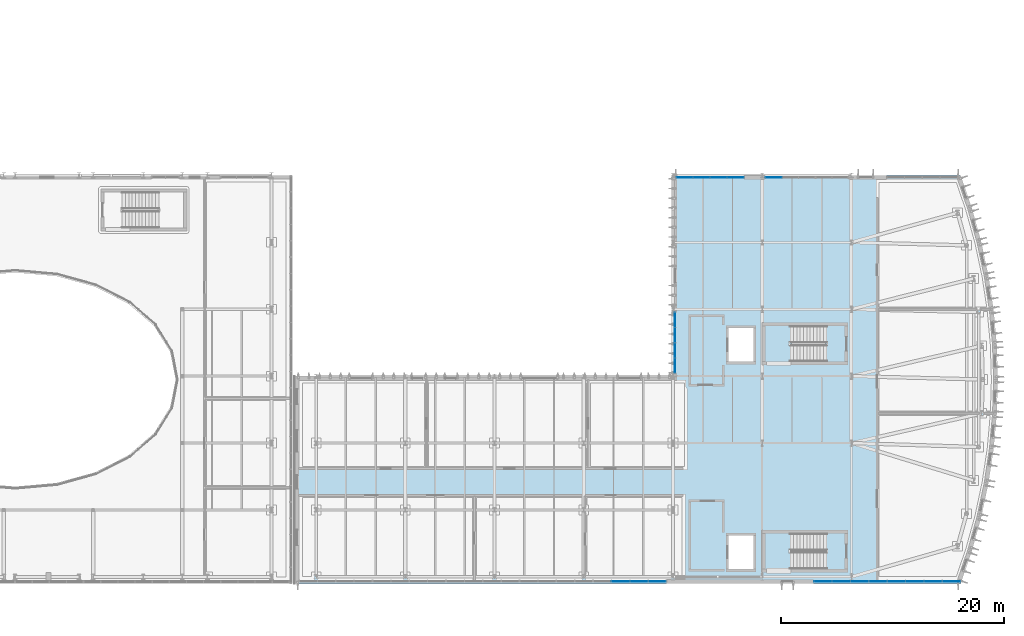
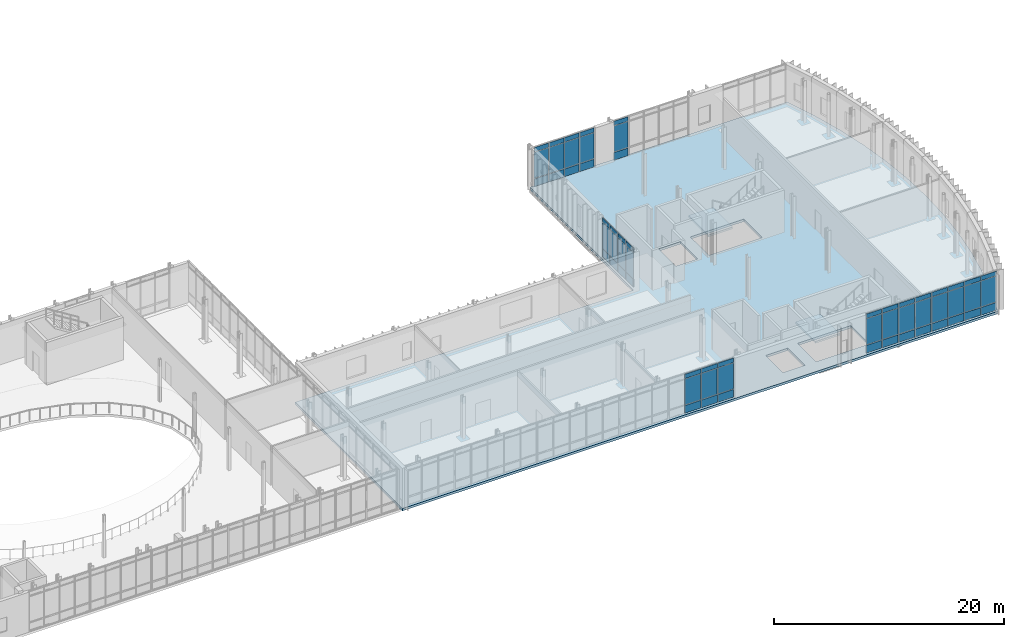
# One storey, part 60 of 100: 60 plates, 3 slabs, 8 elements without a shape of their own.
"""IFC4 building model written with IfcOpenShell, lengths in metres."""

from ifc_helpers import new_model, si_unit, direction, frame, origin, origin_2d, place, context, subcontext, project, spatial, polyline, rectangle, outline, extrude, material, layer, layer_set, type_object, element, aggregate, save


model = new_model("IFC4")

# Units and contexts
model_context = context("Model", 3, precision=1e-05, world=origin(), true_north=direction((0.0, 1.0)))
body_context = subcontext(model_context, "Body", "Model", "MODEL_VIEW")
ifc_project = project(units=[si_unit("LENGTHUNIT", "METRE"), si_unit("AREAUNIT", "SQUARE_METRE"), si_unit("VOLUMEUNIT", "CUBIC_METRE"), si_unit("PLANEANGLEUNIT", "RADIAN"), si_unit("MASSUNIT", "GRAM", prefix="KILO")], contexts=[model_context])

# Site, building, storey
site_placement = place(None, origin())
site = spatial("IfcSite", under=ifc_project, at=site_placement, CompositionType="ELEMENT")
building_placement = place(site_placement, origin())
building = spatial("IfcBuilding", under=site, at=building_placement, Name="Cymarion Research Institute", CompositionType="ELEMENT")
storey_placement = place(building_placement, frame((0.0, 0.0, 9.300048828125)))
storey = spatial("IfcBuildingStorey", under=building, at=storey_placement, Name="L02", CompositionType="ELEMENT", Elevation=9.300048828125)

# Slab
ifc_material_1 = material(Name="Concrete C35/45", Category="concrete")
ifc_layer_1 = layer(ifc_material_1, 0.25)
ifc_layer_set_1 = layer_set([ifc_layer_1], Name="Concrete C35/45")
slab_type_1 = type_object("IfcSlabType", Name="COMPOSITE FLOOR SLAB SL-FL250 250MM", PredefinedType="FLOOR", material=ifc_layer_set_1)
slab_1_placement = place(storey_placement, frame((0.0, 0.0, -0.25)))
element("IfcSlab", 1, at=slab_1_placement, inside=storey, type_object=slab_type_1, Name="L02 V1 floor slab", PredefinedType="FLOOR", context=body_context, shape_type="SweptSolid", body=[
    extrude(outline(polyline([(104.699951171875, 4.89990234375), (164.39990234375, 4.89990234375), (165.40869140625, 7.848388671875), (166.2392578125, 10.85205078125), (166.88818359375, 13.900146484375), (167.353271484375, 16.9814453125), (167.633056640625, 20.085205078125), (167.7265625, 23.199951171875), (167.633056640625, 26.31494140625), (167.353271484375, 29.418701171875), (166.88818359375, 32.5), (166.2392578125, 35.5478515625), (165.40869140625, 38.551513671875), (164.39990234375, 41.5), (138.60009765625, 41.5), (138.60009765625, 23.5), (104.699951171875, 23.5), (104.699951171875, 4.89990234375)]), holes=[polyline([(152.260009765625, 9.39990234375), (146.89990234375, 9.39990234375), (146.89990234375, 6.199951171875), (152.260009765625, 6.199951171875), (152.260009765625, 9.39990234375)]), polyline([(143.60009765625, 6.199951171875), (145.800048828125, 6.199951171875), (145.800048828125, 9.199951171875), (143.60009765625, 9.199951171875), (143.60009765625, 6.199951171875)]), polyline([(152.260009765625, 28.0), (146.89990234375, 28.0), (146.89990234375, 24.800048828125), (152.260009765625, 24.800048828125), (152.260009765625, 28.0)]), polyline([(143.60009765625, 24.800048828125), (145.800048828125, 24.800048828125), (145.800048828125, 27.800048828125), (143.60009765625, 27.800048828125), (143.60009765625, 24.800048828125)])]), origin(), (0.0, 0.0, 1.0), 0.25),
])

# Curtain wall, plates
ifc_material_2 = material(Name="Anodised aluminium unitised curtain wall with Low-E glazing", Category="aluminium")
curtain_wall_type_1 = type_object("IfcCurtainWallType", Name="UNITISED CURTAIN WALL CW01 6590X4250", PredefinedType="NOTDEFINED", material=ifc_material_2)
curtain_wall_1_placement = place(storey_placement, origin())
curtain_wall_1 = element("IfcCurtainWall", 2, at=curtain_wall_1_placement, inside=storey, type_object=curtain_wall_type_1, Name="L02 V1 unitised curtain wall CW01 #64", PredefinedType="NOTDEFINED")
ifc_material_3 = material(Name="Insulated anodised aluminium spandrel panel", Category="aluminium")
ifc_layer_2 = layer(ifc_material_3, 0.06005859375)
ifc_layer_set_2 = layer_set([ifc_layer_2], Name="Insulated anodised aluminium spandrel panel")
plate_type_1 = type_object("IfcPlateType", Name="INSULATED ALUMINIUM SPANDREL PANEL SP01 60MM", PredefinedType="SHEET", material=ifc_layer_set_2)
plate_1_placement = place(storey_placement, frame((133.90673828125, 5.090087890625, 0.059814453125), z_axis=(0.0, 0.0, 1.0), x_axis=(1.0, 0.0, 0.0)))
plate_1 = element("IfcPlate", 3, at=plate_1_placement, type_object=plate_type_1, Name="CW01 panel 2.1", PredefinedType="SHEET", context=body_context, shape_type="SweptSolid", body=[
    extrude(rectangle(XDim=1.58837890625, YDim=0.06005859375, at=origin_2d()), origin(), (0.0, 0.0, 1.0), 0.81005859375),
])
plate_2_placement = place(storey_placement, frame((133.90673828125, 5.090087890625, 3.72998046875), z_axis=(0.0, 0.0, 1.0), x_axis=(1.0, 0.0, 0.0)))
plate_2 = element("IfcPlate", 4, at=plate_2_placement, type_object=plate_type_1, Name="CW01 panel 2.3", PredefinedType="SHEET", context=body_context, shape_type="SweptSolid", body=[
    extrude(rectangle(XDim=1.58837890625, YDim=0.06005859375, at=origin_2d()), origin(), (0.0, 0.0, 1.0), 0.4599609375),
])
plate_3_placement = place(storey_placement, frame((135.55517578125, 5.090087890625, 0.059814453125), z_axis=(0.0, 0.0, 1.0), x_axis=(1.0, 0.0, 0.0)))
plate_3 = element("IfcPlate", 5, at=plate_3_placement, type_object=plate_type_1, Name="CW01 panel 3.1", PredefinedType="SHEET", context=body_context, shape_type="SweptSolid", body=[
    extrude(rectangle(XDim=1.58837890625, YDim=0.06005859375, at=origin_2d()), origin(), (0.0, 0.0, 1.0), 0.81005859375),
])
plate_4_placement = place(storey_placement, frame((135.55517578125, 5.090087890625, 3.72998046875), z_axis=(0.0, 0.0, 1.0), x_axis=(1.0, 0.0, 0.0)))
plate_4 = element("IfcPlate", 6, at=plate_4_placement, type_object=plate_type_1, Name="CW01 panel 3.3", PredefinedType="SHEET", context=body_context, shape_type="SweptSolid", body=[
    extrude(rectangle(XDim=1.58837890625, YDim=0.06005859375, at=origin_2d()), origin(), (0.0, 0.0, 1.0), 0.4599609375),
])
plate_5_placement = place(storey_placement, frame((137.1884765625, 5.090087890625, 0.059814453125), z_axis=(0.0, 0.0, 1.0), x_axis=(1.0, 0.0, 0.0)))
plate_5 = element("IfcPlate", 7, at=plate_5_placement, type_object=plate_type_1, Name="CW01 panel 4.1", PredefinedType="SHEET", context=body_context, shape_type="SweptSolid", body=[
    extrude(rectangle(XDim=1.558349609375, YDim=0.06005859375, at=origin_2d()), origin(), (0.0, 0.0, 1.0), 0.81005859375),
])
plate_6_placement = place(storey_placement, frame((137.1884765625, 5.090087890625, 3.72998046875), z_axis=(0.0, 0.0, 1.0), x_axis=(1.0, 0.0, 0.0)))
plate_6 = element("IfcPlate", 8, at=plate_6_placement, type_object=plate_type_1, Name="CW01 panel 4.3", PredefinedType="SHEET", context=body_context, shape_type="SweptSolid", body=[
    extrude(rectangle(XDim=1.558349609375, YDim=0.06005859375, at=origin_2d()), origin(), (0.0, 0.0, 1.0), 0.4599609375),
])

curtain_wall_2_placement = place(storey_placement, origin())
curtain_wall_2 = element("IfcCurtainWall", 9, at=curtain_wall_2_placement, inside=storey, type_object=curtain_wall_type_1, Name="L02 V1 unitised curtain wall CW01 #65", PredefinedType="NOTDEFINED")
plate_7_placement = place(storey_placement, frame((152.052978515625, 5.090087890625, 0.059814453125), z_axis=(0.0, 0.0, 1.0), x_axis=(1.0, 0.0, 0.0)))
plate_7 = element("IfcPlate", 10, at=plate_7_placement, type_object=plate_type_1, Name="CW01 panel 1.1", PredefinedType="SHEET", context=body_context, shape_type="SweptSolid", body=[
    extrude(rectangle(XDim=1.558349609375, YDim=0.06005859375, at=origin_2d()), origin(), (0.0, 0.0, 1.0), 0.81005859375),
])
plate_8_placement = place(storey_placement, frame((152.052978515625, 5.090087890625, 3.72998046875), z_axis=(0.0, 0.0, 1.0), x_axis=(1.0, 0.0, 0.0)))
plate_8 = element("IfcPlate", 11, at=plate_8_placement, type_object=plate_type_1, Name="CW01 panel 1.3", PredefinedType="SHEET", context=body_context, shape_type="SweptSolid", body=[
    extrude(rectangle(XDim=1.558349609375, YDim=0.06005859375, at=origin_2d()), origin(), (0.0, 0.0, 1.0), 0.4599609375),
])
plate_9_placement = place(storey_placement, frame((153.686279296875, 5.090087890625, 0.059814453125), z_axis=(0.0, 0.0, 1.0), x_axis=(1.0, 0.0, 0.0)))
plate_9 = element("IfcPlate", 12, at=plate_9_placement, type_object=plate_type_1, Name="CW01 panel 2.1", PredefinedType="SHEET", context=body_context, shape_type="SweptSolid", body=[
    extrude(rectangle(XDim=1.58837890625, YDim=0.06005859375, at=origin_2d()), origin(), (0.0, 0.0, 1.0), 0.81005859375),
])
plate_10_placement = place(storey_placement, frame((153.686279296875, 5.090087890625, 3.72998046875), z_axis=(0.0, 0.0, 1.0), x_axis=(1.0, 0.0, 0.0)))
plate_10 = element("IfcPlate", 13, at=plate_10_placement, type_object=plate_type_1, Name="CW01 panel 2.3", PredefinedType="SHEET", context=body_context, shape_type="SweptSolid", body=[
    extrude(rectangle(XDim=1.58837890625, YDim=0.06005859375, at=origin_2d()), origin(), (0.0, 0.0, 1.0), 0.4599609375),
])
plate_11_placement = place(storey_placement, frame((155.33447265625, 5.090087890625, 0.059814453125), z_axis=(0.0, 0.0, 1.0), x_axis=(1.0, 0.0, 0.0)))
plate_11 = element("IfcPlate", 14, at=plate_11_placement, type_object=plate_type_1, Name="CW01 panel 3.1", PredefinedType="SHEET", context=body_context, shape_type="SweptSolid", body=[
    extrude(rectangle(XDim=1.58837890625, YDim=0.06005859375, at=origin_2d()), origin(), (0.0, 0.0, 1.0), 0.81005859375),
])
plate_12_placement = place(storey_placement, frame((155.33447265625, 5.090087890625, 3.72998046875), z_axis=(0.0, 0.0, 1.0), x_axis=(1.0, 0.0, 0.0)))
plate_12 = element("IfcPlate", 15, at=plate_12_placement, type_object=plate_type_1, Name="CW01 panel 3.3", PredefinedType="SHEET", context=body_context, shape_type="SweptSolid", body=[
    extrude(rectangle(XDim=1.58837890625, YDim=0.06005859375, at=origin_2d()), origin(), (0.0, 0.0, 1.0), 0.4599609375),
])
plate_13_placement = place(storey_placement, frame((156.9677734375, 5.090087890625, 0.059814453125), z_axis=(0.0, 0.0, 1.0), x_axis=(1.0, 0.0, 0.0)))
plate_13 = element("IfcPlate", 16, at=plate_13_placement, type_object=plate_type_1, Name="CW01 panel 4.1", PredefinedType="SHEET", context=body_context, shape_type="SweptSolid", body=[
    extrude(rectangle(XDim=1.558349609375, YDim=0.06005859375, at=origin_2d()), origin(), (0.0, 0.0, 1.0), 0.81005859375),
])
plate_14_placement = place(storey_placement, frame((156.9677734375, 5.090087890625, 3.72998046875), z_axis=(0.0, 0.0, 1.0), x_axis=(1.0, 0.0, 0.0)))
plate_14 = element("IfcPlate", 17, at=plate_14_placement, type_object=plate_type_1, Name="CW01 panel 4.3", PredefinedType="SHEET", context=body_context, shape_type="SweptSolid", body=[
    extrude(rectangle(XDim=1.558349609375, YDim=0.06005859375, at=origin_2d()), origin(), (0.0, 0.0, 1.0), 0.4599609375),
])

curtain_wall_3_placement = place(storey_placement, origin())
curtain_wall_3 = element("IfcCurtainWall", 18, at=curtain_wall_3_placement, inside=storey, type_object=curtain_wall_type_1, Name="L02 V1 unitised curtain wall CW01 #66", PredefinedType="NOTDEFINED")
plate_15_placement = place(storey_placement, frame((158.64599609375, 5.090087890625, 0.059814453125), z_axis=(0.0, 0.0, 1.0), x_axis=(1.0, 0.0, 0.0)))
plate_15 = element("IfcPlate", 19, at=plate_15_placement, type_object=plate_type_1, Name="CW01 panel 1.1", PredefinedType="SHEET", context=body_context, shape_type="SweptSolid", body=[
    extrude(rectangle(XDim=1.558349609375, YDim=0.06005859375, at=origin_2d()), origin(), (0.0, 0.0, 1.0), 0.81005859375),
])
plate_16_placement = place(storey_placement, frame((158.64599609375, 5.090087890625, 3.72998046875), z_axis=(0.0, 0.0, 1.0), x_axis=(1.0, 0.0, 0.0)))
plate_16 = element("IfcPlate", 20, at=plate_16_placement, type_object=plate_type_1, Name="CW01 panel 1.3", PredefinedType="SHEET", context=body_context, shape_type="SweptSolid", body=[
    extrude(rectangle(XDim=1.558349609375, YDim=0.06005859375, at=origin_2d()), origin(), (0.0, 0.0, 1.0), 0.4599609375),
])
plate_17_placement = place(storey_placement, frame((160.279296875, 5.090087890625, 0.059814453125), z_axis=(0.0, 0.0, 1.0), x_axis=(1.0, 0.0, 0.0)))
plate_17 = element("IfcPlate", 21, at=plate_17_placement, type_object=plate_type_1, Name="CW01 panel 2.1", PredefinedType="SHEET", context=body_context, shape_type="SweptSolid", body=[
    extrude(rectangle(XDim=1.58837890625, YDim=0.06005859375, at=origin_2d()), origin(), (0.0, 0.0, 1.0), 0.81005859375),
])
plate_18_placement = place(storey_placement, frame((160.279296875, 5.090087890625, 3.72998046875), z_axis=(0.0, 0.0, 1.0), x_axis=(1.0, 0.0, 0.0)))
plate_18 = element("IfcPlate", 22, at=plate_18_placement, type_object=plate_type_1, Name="CW01 panel 2.3", PredefinedType="SHEET", context=body_context, shape_type="SweptSolid", body=[
    extrude(rectangle(XDim=1.58837890625, YDim=0.06005859375, at=origin_2d()), origin(), (0.0, 0.0, 1.0), 0.4599609375),
])
plate_19_placement = place(storey_placement, frame((161.927490234375, 5.090087890625, 0.059814453125), z_axis=(0.0, 0.0, 1.0), x_axis=(1.0, 0.0, 0.0)))
plate_19 = element("IfcPlate", 23, at=plate_19_placement, type_object=plate_type_1, Name="CW01 panel 3.1", PredefinedType="SHEET", context=body_context, shape_type="SweptSolid", body=[
    extrude(rectangle(XDim=1.58837890625, YDim=0.06005859375, at=origin_2d()), origin(), (0.0, 0.0, 1.0), 0.81005859375),
])
plate_20_placement = place(storey_placement, frame((161.927490234375, 5.090087890625, 3.72998046875), z_axis=(0.0, 0.0, 1.0), x_axis=(1.0, 0.0, 0.0)))
plate_20 = element("IfcPlate", 24, at=plate_20_placement, type_object=plate_type_1, Name="CW01 panel 3.3", PredefinedType="SHEET", context=body_context, shape_type="SweptSolid", body=[
    extrude(rectangle(XDim=1.58837890625, YDim=0.06005859375, at=origin_2d()), origin(), (0.0, 0.0, 1.0), 0.4599609375),
])
plate_21_placement = place(storey_placement, frame((163.560791015625, 5.090087890625, 0.059814453125), z_axis=(0.0, 0.0, 1.0), x_axis=(1.0, 0.0, 0.0)))
plate_21 = element("IfcPlate", 25, at=plate_21_placement, type_object=plate_type_1, Name="CW01 panel 4.1", PredefinedType="SHEET", context=body_context, shape_type="SweptSolid", body=[
    extrude(rectangle(XDim=1.558349609375, YDim=0.06005859375, at=origin_2d()), origin(), (0.0, 0.0, 1.0), 0.81005859375),
])
plate_22_placement = place(storey_placement, frame((163.560791015625, 5.090087890625, 3.72998046875), z_axis=(0.0, 0.0, 1.0), x_axis=(1.0, 0.0, 0.0)))
plate_22 = element("IfcPlate", 26, at=plate_22_placement, type_object=plate_type_1, Name="CW01 panel 4.3", PredefinedType="SHEET", context=body_context, shape_type="SweptSolid", body=[
    extrude(rectangle(XDim=1.558349609375, YDim=0.06005859375, at=origin_2d()), origin(), (0.0, 0.0, 1.0), 0.4599609375),
])

curtain_wall_type_2 = type_object("IfcCurtainWallType", Name="UNITISED CURTAIN WALL CW04 4510X4250", PredefinedType="NOTDEFINED", material=ifc_material_2)
curtain_wall_4_placement = place(storey_placement, origin())
curtain_wall_4 = element("IfcCurtainWall", 27, at=curtain_wall_4_placement, inside=storey, type_object=curtain_wall_type_2, Name="L02 V1 unitised curtain wall CW04 #69", PredefinedType="NOTDEFINED")
plate_23_placement = place(storey_placement, frame((147.627197265625, 41.31005859375, 0.059814453125), z_axis=(0.0, 0.0, 1.0), x_axis=(-1.0, 0.0, 0.0)))
plate_23 = element("IfcPlate", 28, at=plate_23_placement, type_object=plate_type_1, Name="CW04 panel 3.1", PredefinedType="SHEET", context=body_context, shape_type="SweptSolid", body=[
    extrude(rectangle(XDim=1.414306640625, YDim=0.06005859375, at=origin_2d()), origin(), (0.0, 0.0, 1.0), 0.81005859375),
])
plate_24_placement = place(storey_placement, frame((147.627197265625, 41.31005859375, 3.72998046875), z_axis=(0.0, 0.0, 1.0), x_axis=(-1.0, 0.0, 0.0)))
plate_24 = element("IfcPlate", 29, at=plate_24_placement, type_object=plate_type_1, Name="CW04 panel 3.3", PredefinedType="SHEET", context=body_context, shape_type="SweptSolid", body=[
    extrude(rectangle(XDim=1.414306640625, YDim=0.06005859375, at=origin_2d()), origin(), (0.0, 0.0, 1.0), 0.4599609375),
])

curtain_wall_type_3 = type_object("IfcCurtainWallType", Name="UNITISED CURTAIN WALL CW05 6130X4250", PredefinedType="NOTDEFINED", material=ifc_material_2)
curtain_wall_5_placement = place(storey_placement, origin())
curtain_wall_5 = element("IfcCurtainWall", 30, at=curtain_wall_5_placement, inside=storey, type_object=curtain_wall_type_3, Name="L02 V1 unitised curtain wall CW05 #70", PredefinedType="NOTDEFINED")
plate_25_placement = place(storey_placement, frame((144.205810546875, 41.31005859375, 0.059814453125), z_axis=(0.0, 0.0, 1.0), x_axis=(-1.0, 0.0, 0.0)))
plate_25 = element("IfcPlate", 31, at=plate_25_placement, type_object=plate_type_1, Name="CW05 panel 1.1", PredefinedType="SHEET", context=body_context, shape_type="SweptSolid", body=[
    extrude(rectangle(XDim=1.441650390625, YDim=0.06005859375, at=origin_2d()), origin(), (0.0, 0.0, 1.0), 0.81005859375),
])
plate_26_placement = place(storey_placement, frame((144.205810546875, 41.31005859375, 3.72998046875), z_axis=(0.0, 0.0, 1.0), x_axis=(-1.0, 0.0, 0.0)))
plate_26 = element("IfcPlate", 32, at=plate_26_placement, type_object=plate_type_1, Name="CW05 panel 1.3", PredefinedType="SHEET", context=body_context, shape_type="SweptSolid", body=[
    extrude(rectangle(XDim=1.441650390625, YDim=0.06005859375, at=origin_2d()), origin(), (0.0, 0.0, 1.0), 0.4599609375),
])
plate_27_placement = place(storey_placement, frame((142.689208984375, 41.31005859375, 0.059814453125), z_axis=(0.0, 0.0, 1.0), x_axis=(-1.0, 0.0, 0.0)))
plate_27 = element("IfcPlate", 33, at=plate_27_placement, type_object=plate_type_1, Name="CW05 panel 2.1", PredefinedType="SHEET", context=body_context, shape_type="SweptSolid", body=[
    extrude(rectangle(XDim=1.4716796875, YDim=0.06005859375, at=origin_2d()), origin(), (0.0, 0.0, 1.0), 0.81005859375),
])
plate_28_placement = place(storey_placement, frame((142.689208984375, 41.31005859375, 3.72998046875), z_axis=(0.0, 0.0, 1.0), x_axis=(-1.0, 0.0, 0.0)))
plate_28 = element("IfcPlate", 34, at=plate_28_placement, type_object=plate_type_1, Name="CW05 panel 2.3", PredefinedType="SHEET", context=body_context, shape_type="SweptSolid", body=[
    extrude(rectangle(XDim=1.4716796875, YDim=0.06005859375, at=origin_2d()), origin(), (0.0, 0.0, 1.0), 0.4599609375),
])
plate_29_placement = place(storey_placement, frame((141.157470703125, 41.31005859375, 0.059814453125), z_axis=(0.0, 0.0, 1.0), x_axis=(-1.0, 0.0, 0.0)))
plate_29 = element("IfcPlate", 35, at=plate_29_placement, type_object=plate_type_1, Name="CW05 panel 3.1", PredefinedType="SHEET", context=body_context, shape_type="SweptSolid", body=[
    extrude(rectangle(XDim=1.4716796875, YDim=0.06005859375, at=origin_2d()), origin(), (0.0, 0.0, 1.0), 0.81005859375),
])
plate_30_placement = place(storey_placement, frame((141.157470703125, 41.31005859375, 3.72998046875), z_axis=(0.0, 0.0, 1.0), x_axis=(-1.0, 0.0, 0.0)))
plate_30 = element("IfcPlate", 36, at=plate_30_placement, type_object=plate_type_1, Name="CW05 panel 3.3", PredefinedType="SHEET", context=body_context, shape_type="SweptSolid", body=[
    extrude(rectangle(XDim=1.4716796875, YDim=0.06005859375, at=origin_2d()), origin(), (0.0, 0.0, 1.0), 0.4599609375),
])
plate_31_placement = place(storey_placement, frame((139.640869140625, 41.31005859375, 0.059814453125), z_axis=(0.0, 0.0, 1.0), x_axis=(-1.0, 0.0, 0.0)))
plate_31 = element("IfcPlate", 37, at=plate_31_placement, type_object=plate_type_1, Name="CW05 panel 4.1", PredefinedType="SHEET", context=body_context, shape_type="SweptSolid", body=[
    extrude(rectangle(XDim=1.441650390625, YDim=0.06005859375, at=origin_2d()), origin(), (0.0, 0.0, 1.0), 0.81005859375),
])
plate_32_placement = place(storey_placement, frame((139.640869140625, 41.31005859375, 3.72998046875), z_axis=(0.0, 0.0, 1.0), x_axis=(-1.0, 0.0, 0.0)))
plate_32 = element("IfcPlate", 38, at=plate_32_placement, type_object=plate_type_1, Name="CW05 panel 4.3", PredefinedType="SHEET", context=body_context, shape_type="SweptSolid", body=[
    extrude(rectangle(XDim=1.441650390625, YDim=0.06005859375, at=origin_2d()), origin(), (0.0, 0.0, 1.0), 0.4599609375),
])

curtain_wall_type_4 = type_object("IfcCurtainWallType", Name="UNITISED CURTAIN WALL CW06 5480X4250", PredefinedType="NOTDEFINED", material=ifc_material_2)
curtain_wall_6_placement = place(storey_placement, origin())
curtain_wall_6 = element("IfcCurtainWall", 39, at=curtain_wall_6_placement, inside=storey, type_object=curtain_wall_type_4, Name="L02 V1 unitised curtain wall CW06 #71", PredefinedType="NOTDEFINED")
plate_33_placement = place(storey_placement, frame((138.7900390625, 28.5400390625, 0.059814453125), z_axis=(0.0, 0.0, 1.0), x_axis=(0.0, -1.0, 0.0)))
plate_33 = element("IfcPlate", 40, at=plate_33_placement, type_object=plate_type_1, Name="CW06 panel 1.1", PredefinedType="SHEET", context=body_context, shape_type="SweptSolid", body=[
    extrude(rectangle(XDim=1.280029296875, YDim=0.06005859375, at=origin_2d()), origin(), (0.0, 0.0, 1.0), 0.81005859375),
])
plate_34_placement = place(storey_placement, frame((138.7900390625, 28.5400390625, 3.72998046875), z_axis=(0.0, 0.0, 1.0), x_axis=(0.0, -1.0, 0.0)))
plate_34 = element("IfcPlate", 41, at=plate_34_placement, type_object=plate_type_1, Name="CW06 panel 1.3", PredefinedType="SHEET", context=body_context, shape_type="SweptSolid", body=[
    extrude(rectangle(XDim=1.280029296875, YDim=0.06005859375, at=origin_2d()), origin(), (0.0, 0.0, 1.0), 0.4599609375),
])
plate_35_placement = place(storey_placement, frame((138.7900390625, 27.18505859375, 0.059814453125), z_axis=(0.0, 0.0, 1.0), x_axis=(0.0, -1.0, 0.0)))
plate_35 = element("IfcPlate", 42, at=plate_35_placement, type_object=plate_type_1, Name="CW06 panel 2.1", PredefinedType="SHEET", context=body_context, shape_type="SweptSolid", body=[
    extrude(rectangle(XDim=1.31005859375, YDim=0.06005859375, at=origin_2d()), origin(), (0.0, 0.0, 1.0), 0.81005859375),
])
plate_36_placement = place(storey_placement, frame((138.7900390625, 27.18505859375, 3.72998046875), z_axis=(0.0, 0.0, 1.0), x_axis=(0.0, -1.0, 0.0)))
plate_36 = element("IfcPlate", 43, at=plate_36_placement, type_object=plate_type_1, Name="CW06 panel 2.3", PredefinedType="SHEET", context=body_context, shape_type="SweptSolid", body=[
    extrude(rectangle(XDim=1.31005859375, YDim=0.06005859375, at=origin_2d()), origin(), (0.0, 0.0, 1.0), 0.4599609375),
])
plate_37_placement = place(storey_placement, frame((138.7900390625, 25.81494140625, 0.059814453125), z_axis=(0.0, 0.0, 1.0), x_axis=(0.0, -1.0, 0.0)))
plate_37 = element("IfcPlate", 44, at=plate_37_placement, type_object=plate_type_1, Name="CW06 panel 3.1", PredefinedType="SHEET", context=body_context, shape_type="SweptSolid", body=[
    extrude(rectangle(XDim=1.31005859375, YDim=0.06005859375, at=origin_2d()), origin(), (0.0, 0.0, 1.0), 0.81005859375),
])
plate_38_placement = place(storey_placement, frame((138.7900390625, 25.81494140625, 3.72998046875), z_axis=(0.0, 0.0, 1.0), x_axis=(0.0, -1.0, 0.0)))
plate_38 = element("IfcPlate", 45, at=plate_38_placement, type_object=plate_type_1, Name="CW06 panel 3.3", PredefinedType="SHEET", context=body_context, shape_type="SweptSolid", body=[
    extrude(rectangle(XDim=1.31005859375, YDim=0.06005859375, at=origin_2d()), origin(), (0.0, 0.0, 1.0), 0.4599609375),
])
plate_39_placement = place(storey_placement, frame((138.7900390625, 24.4599609375, 0.059814453125), z_axis=(0.0, 0.0, 1.0), x_axis=(0.0, -1.0, 0.0)))
plate_39 = element("IfcPlate", 46, at=plate_39_placement, type_object=plate_type_1, Name="CW06 panel 4.1", PredefinedType="SHEET", context=body_context, shape_type="SweptSolid", body=[
    extrude(rectangle(XDim=1.280029296875, YDim=0.06005859375, at=origin_2d()), origin(), (0.0, 0.0, 1.0), 0.81005859375),
])
plate_40_placement = place(storey_placement, frame((138.7900390625, 24.4599609375, 3.72998046875), z_axis=(0.0, 0.0, 1.0), x_axis=(0.0, -1.0, 0.0)))
plate_40 = element("IfcPlate", 47, at=plate_40_placement, type_object=plate_type_1, Name="CW06 panel 4.3", PredefinedType="SHEET", context=body_context, shape_type="SweptSolid", body=[
    extrude(rectangle(XDim=1.280029296875, YDim=0.06005859375, at=origin_2d()), origin(), (0.0, 0.0, 1.0), 0.4599609375),
])

# Stair, slab
stair_type = type_object("IfcStairType", Name="REINFORCED CONCRETE DOGLEG STAIR STR-4500", PredefinedType="HALF_TURN_STAIR", material=ifc_material_1)
stair_1_placement = place(storey_placement, origin())
stair_1 = element("IfcStair", 48, at=stair_1_placement, inside=storey, type_object=stair_type, Name="L02 Core C1 Smoke-Proof Exit Stair ST1", PredefinedType="HALF_TURN_STAIR")
ifc_layer_3 = layer(ifc_material_1, 0.199951171875)
ifc_layer_set_3 = layer_set([ifc_layer_3], Name="Concrete C35/45")
slab_type_2 = type_object("IfcSlabType", Name="REINFORCED CONCRETE STAIR LANDING LDG200", PredefinedType="LANDING", material=ifc_layer_set_3)
slab_2_placement = place(storey_placement, frame((0.0, 0.0, 2.050048828125)))
slab_2 = element("IfcSlab", 49, at=slab_2_placement, type_object=slab_type_2, Name="ST1 landing 1", PredefinedType="LANDING", context=body_context, shape_type="SweptSolid", body=[
    extrude(outline(polyline([(149.219970703125, 9.52001953125), (149.219970703125, 6.080078125), (146.780029296875, 6.080078125), (146.780029296875, 9.52001953125), (149.219970703125, 9.52001953125)])), origin(), (0.0, 0.0, 1.0), 0.199951171875),
])
aggregate(stair_1, [slab_2])

stair_2_placement = place(storey_placement, origin())
stair_2 = element("IfcStair", 50, at=stair_2_placement, inside=storey, type_object=stair_type, Name="L02 Core C2 Smoke-Proof Exit Stair ST2", PredefinedType="HALF_TURN_STAIR")
slab_3_placement = place(storey_placement, frame((0.0, 0.0, 2.050048828125)))
slab_3 = element("IfcSlab", 51, at=slab_3_placement, type_object=slab_type_2, Name="ST2 landing 1", PredefinedType="LANDING", context=body_context, shape_type="SweptSolid", body=[
    extrude(outline(polyline([(149.219970703125, 28.1201171875), (149.219970703125, 24.679931640625), (146.780029296875, 24.679931640625), (146.780029296875, 28.1201171875), (149.219970703125, 28.1201171875)])), origin(), (0.0, 0.0, 1.0), 0.199951171875),
])
aggregate(stair_2, [slab_3])

# Plate
ifc_material_4 = material(Name="Low-E double solar-control glazing", Category="glass")
ifc_layer_4 = layer(ifc_material_4, 0.035888671875)
ifc_layer_set_4 = layer_set([ifc_layer_4], Name="Low-E double solar-control glazing")
plate_type_2 = type_object("IfcPlateType", Name="SOLAR CONTROL GLAZED VISION PANEL GP01 36MM", PredefinedType="CURTAIN_PANEL", material=ifc_layer_set_4)
plate_41_placement = place(storey_placement, frame((133.90673828125, 5.090087890625, 0.93017578125), z_axis=(0.0, 0.0, 1.0), x_axis=(1.0, 0.0, 0.0)))
plate_41 = element("IfcPlate", 52, at=plate_41_placement, type_object=plate_type_2, Name="CW01 panel 2.2", PredefinedType="CURTAIN_PANEL", context=body_context, shape_type="SweptSolid", body=[
    extrude(rectangle(XDim=1.58837890625, YDim=0.035888671875, at=origin_2d()), origin(), (0.0, 0.0, 1.0), 2.739990234375),
])

plate_42_placement = place(storey_placement, frame((135.55517578125, 5.090087890625, 0.93017578125), z_axis=(0.0, 0.0, 1.0), x_axis=(1.0, 0.0, 0.0)))
plate_42 = element("IfcPlate", 53, at=plate_42_placement, type_object=plate_type_2, Name="CW01 panel 3.2", PredefinedType="CURTAIN_PANEL", context=body_context, shape_type="SweptSolid", body=[
    extrude(rectangle(XDim=1.58837890625, YDim=0.035888671875, at=origin_2d()), origin(), (0.0, 0.0, 1.0), 2.739990234375),
])

plate_43_placement = place(storey_placement, frame((137.1884765625, 5.090087890625, 0.93017578125), z_axis=(0.0, 0.0, 1.0), x_axis=(1.0, 0.0, 0.0)))
plate_43 = element("IfcPlate", 54, at=plate_43_placement, type_object=plate_type_2, Name="CW01 panel 4.2", PredefinedType="CURTAIN_PANEL", context=body_context, shape_type="SweptSolid", body=[
    extrude(rectangle(XDim=1.558349609375, YDim=0.035888671875, at=origin_2d()), origin(), (0.0, 0.0, 1.0), 2.739990234375),
])

aggregate(curtain_wall_1, [plate_1, plate_41, plate_2, plate_3, plate_42, plate_4, plate_5, plate_43, plate_6])

plate_44_placement = place(storey_placement, frame((152.052978515625, 5.090087890625, 0.93017578125), z_axis=(0.0, 0.0, 1.0), x_axis=(1.0, 0.0, 0.0)))
plate_44 = element("IfcPlate", 55, at=plate_44_placement, type_object=plate_type_2, Name="CW01 panel 1.2", PredefinedType="CURTAIN_PANEL", context=body_context, shape_type="SweptSolid", body=[
    extrude(rectangle(XDim=1.558349609375, YDim=0.035888671875, at=origin_2d()), origin(), (0.0, 0.0, 1.0), 2.739990234375),
])

plate_45_placement = place(storey_placement, frame((153.686279296875, 5.090087890625, 0.93017578125), z_axis=(0.0, 0.0, 1.0), x_axis=(1.0, 0.0, 0.0)))
plate_45 = element("IfcPlate", 56, at=plate_45_placement, type_object=plate_type_2, Name="CW01 panel 2.2", PredefinedType="CURTAIN_PANEL", context=body_context, shape_type="SweptSolid", body=[
    extrude(rectangle(XDim=1.58837890625, YDim=0.035888671875, at=origin_2d()), origin(), (0.0, 0.0, 1.0), 2.739990234375),
])

plate_46_placement = place(storey_placement, frame((155.33447265625, 5.090087890625, 0.93017578125), z_axis=(0.0, 0.0, 1.0), x_axis=(1.0, 0.0, 0.0)))
plate_46 = element("IfcPlate", 57, at=plate_46_placement, type_object=plate_type_2, Name="CW01 panel 3.2", PredefinedType="CURTAIN_PANEL", context=body_context, shape_type="SweptSolid", body=[
    extrude(rectangle(XDim=1.58837890625, YDim=0.035888671875, at=origin_2d()), origin(), (0.0, 0.0, 1.0), 2.739990234375),
])

plate_47_placement = place(storey_placement, frame((156.9677734375, 5.090087890625, 0.93017578125), z_axis=(0.0, 0.0, 1.0), x_axis=(1.0, 0.0, 0.0)))
plate_47 = element("IfcPlate", 58, at=plate_47_placement, type_object=plate_type_2, Name="CW01 panel 4.2", PredefinedType="CURTAIN_PANEL", context=body_context, shape_type="SweptSolid", body=[
    extrude(rectangle(XDim=1.558349609375, YDim=0.035888671875, at=origin_2d()), origin(), (0.0, 0.0, 1.0), 2.739990234375),
])

aggregate(curtain_wall_2, [plate_7, plate_44, plate_8, plate_9, plate_45, plate_10, plate_11, plate_46, plate_12, plate_13, plate_47, plate_14])

plate_48_placement = place(storey_placement, frame((158.64599609375, 5.090087890625, 0.93017578125), z_axis=(0.0, 0.0, 1.0), x_axis=(1.0, 0.0, 0.0)))
plate_48 = element("IfcPlate", 59, at=plate_48_placement, type_object=plate_type_2, Name="CW01 panel 1.2", PredefinedType="CURTAIN_PANEL", context=body_context, shape_type="SweptSolid", body=[
    extrude(rectangle(XDim=1.558349609375, YDim=0.035888671875, at=origin_2d()), origin(), (0.0, 0.0, 1.0), 2.739990234375),
])

plate_49_placement = place(storey_placement, frame((160.279296875, 5.090087890625, 0.93017578125), z_axis=(0.0, 0.0, 1.0), x_axis=(1.0, 0.0, 0.0)))
plate_49 = element("IfcPlate", 60, at=plate_49_placement, type_object=plate_type_2, Name="CW01 panel 2.2", PredefinedType="CURTAIN_PANEL", context=body_context, shape_type="SweptSolid", body=[
    extrude(rectangle(XDim=1.58837890625, YDim=0.035888671875, at=origin_2d()), origin(), (0.0, 0.0, 1.0), 2.739990234375),
])

plate_50_placement = place(storey_placement, frame((161.927490234375, 5.090087890625, 0.93017578125), z_axis=(0.0, 0.0, 1.0), x_axis=(1.0, 0.0, 0.0)))
plate_50 = element("IfcPlate", 61, at=plate_50_placement, type_object=plate_type_2, Name="CW01 panel 3.2", PredefinedType="CURTAIN_PANEL", context=body_context, shape_type="SweptSolid", body=[
    extrude(rectangle(XDim=1.58837890625, YDim=0.035888671875, at=origin_2d()), origin(), (0.0, 0.0, 1.0), 2.739990234375),
])

plate_51_placement = place(storey_placement, frame((163.560791015625, 5.090087890625, 0.93017578125), z_axis=(0.0, 0.0, 1.0), x_axis=(1.0, 0.0, 0.0)))
plate_51 = element("IfcPlate", 62, at=plate_51_placement, type_object=plate_type_2, Name="CW01 panel 4.2", PredefinedType="CURTAIN_PANEL", context=body_context, shape_type="SweptSolid", body=[
    extrude(rectangle(XDim=1.558349609375, YDim=0.035888671875, at=origin_2d()), origin(), (0.0, 0.0, 1.0), 2.739990234375),
])

aggregate(curtain_wall_3, [plate_15, plate_48, plate_16, plate_17, plate_49, plate_18, plate_19, plate_50, plate_20, plate_21, plate_51, plate_22])

plate_52_placement = place(storey_placement, frame((147.627197265625, 41.31005859375, 0.93017578125), z_axis=(0.0, 0.0, 1.0), x_axis=(-1.0, 0.0, 0.0)))
plate_52 = element("IfcPlate", 63, at=plate_52_placement, type_object=plate_type_2, Name="CW04 panel 3.2", PredefinedType="CURTAIN_PANEL", context=body_context, shape_type="SweptSolid", body=[
    extrude(rectangle(XDim=1.414306640625, YDim=0.035888671875, at=origin_2d()), origin(), (0.0, 0.0, 1.0), 2.739990234375),
])

aggregate(curtain_wall_4, [plate_23, plate_52, plate_24])

plate_53_placement = place(storey_placement, frame((144.205810546875, 41.31005859375, 0.93017578125), z_axis=(0.0, 0.0, 1.0), x_axis=(-1.0, 0.0, 0.0)))
plate_53 = element("IfcPlate", 64, at=plate_53_placement, type_object=plate_type_2, Name="CW05 panel 1.2", PredefinedType="CURTAIN_PANEL", context=body_context, shape_type="SweptSolid", body=[
    extrude(rectangle(XDim=1.441650390625, YDim=0.035888671875, at=origin_2d()), origin(), (0.0, 0.0, 1.0), 2.739990234375),
])

plate_54_placement = place(storey_placement, frame((142.689208984375, 41.31005859375, 0.93017578125), z_axis=(0.0, 0.0, 1.0), x_axis=(-1.0, 0.0, 0.0)))
plate_54 = element("IfcPlate", 65, at=plate_54_placement, type_object=plate_type_2, Name="CW05 panel 2.2", PredefinedType="CURTAIN_PANEL", context=body_context, shape_type="SweptSolid", body=[
    extrude(rectangle(XDim=1.4716796875, YDim=0.035888671875, at=origin_2d()), origin(), (0.0, 0.0, 1.0), 2.739990234375),
])

plate_55_placement = place(storey_placement, frame((141.157470703125, 41.31005859375, 0.93017578125), z_axis=(0.0, 0.0, 1.0), x_axis=(-1.0, 0.0, 0.0)))
plate_55 = element("IfcPlate", 66, at=plate_55_placement, type_object=plate_type_2, Name="CW05 panel 3.2", PredefinedType="CURTAIN_PANEL", context=body_context, shape_type="SweptSolid", body=[
    extrude(rectangle(XDim=1.4716796875, YDim=0.035888671875, at=origin_2d()), origin(), (0.0, 0.0, 1.0), 2.739990234375),
])

plate_56_placement = place(storey_placement, frame((139.640869140625, 41.31005859375, 0.93017578125), z_axis=(0.0, 0.0, 1.0), x_axis=(-1.0, 0.0, 0.0)))
plate_56 = element("IfcPlate", 67, at=plate_56_placement, type_object=plate_type_2, Name="CW05 panel 4.2", PredefinedType="CURTAIN_PANEL", context=body_context, shape_type="SweptSolid", body=[
    extrude(rectangle(XDim=1.441650390625, YDim=0.035888671875, at=origin_2d()), origin(), (0.0, 0.0, 1.0), 2.739990234375),
])

aggregate(curtain_wall_5, [plate_25, plate_53, plate_26, plate_27, plate_54, plate_28, plate_29, plate_55, plate_30, plate_31, plate_56, plate_32])

plate_57_placement = place(storey_placement, frame((138.7900390625, 28.5400390625, 0.93017578125), z_axis=(0.0, 0.0, 1.0), x_axis=(0.0, -1.0, 0.0)))
plate_57 = element("IfcPlate", 68, at=plate_57_placement, type_object=plate_type_2, Name="CW06 panel 1.2", PredefinedType="CURTAIN_PANEL", context=body_context, shape_type="SweptSolid", body=[
    extrude(rectangle(XDim=1.280029296875, YDim=0.035888671875, at=origin_2d()), origin(), (0.0, 0.0, 1.0), 2.739990234375),
])

plate_58_placement = place(storey_placement, frame((138.7900390625, 27.18505859375, 0.93017578125), z_axis=(0.0, 0.0, 1.0), x_axis=(0.0, -1.0, 0.0)))
plate_58 = element("IfcPlate", 69, at=plate_58_placement, type_object=plate_type_2, Name="CW06 panel 2.2", PredefinedType="CURTAIN_PANEL", context=body_context, shape_type="SweptSolid", body=[
    extrude(rectangle(XDim=1.31005859375, YDim=0.035888671875, at=origin_2d()), origin(), (0.0, 0.0, 1.0), 2.739990234375),
])

plate_59_placement = place(storey_placement, frame((138.7900390625, 25.81494140625, 0.93017578125), z_axis=(0.0, 0.0, 1.0), x_axis=(0.0, -1.0, 0.0)))
plate_59 = element("IfcPlate", 70, at=plate_59_placement, type_object=plate_type_2, Name="CW06 panel 3.2", PredefinedType="CURTAIN_PANEL", context=body_context, shape_type="SweptSolid", body=[
    extrude(rectangle(XDim=1.31005859375, YDim=0.035888671875, at=origin_2d()), origin(), (0.0, 0.0, 1.0), 2.739990234375),
])

plate_60_placement = place(storey_placement, frame((138.7900390625, 24.4599609375, 0.93017578125), z_axis=(0.0, 0.0, 1.0), x_axis=(0.0, -1.0, 0.0)))
plate_60 = element("IfcPlate", 71, at=plate_60_placement, type_object=plate_type_2, Name="CW06 panel 4.2", PredefinedType="CURTAIN_PANEL", context=body_context, shape_type="SweptSolid", body=[
    extrude(rectangle(XDim=1.280029296875, YDim=0.035888671875, at=origin_2d()), origin(), (0.0, 0.0, 1.0), 2.739990234375),
])

aggregate(curtain_wall_6, [plate_33, plate_57, plate_34, plate_35, plate_58, plate_36, plate_37, plate_59, plate_38, plate_39, plate_60, plate_40])

save(model, "model.ifc")
